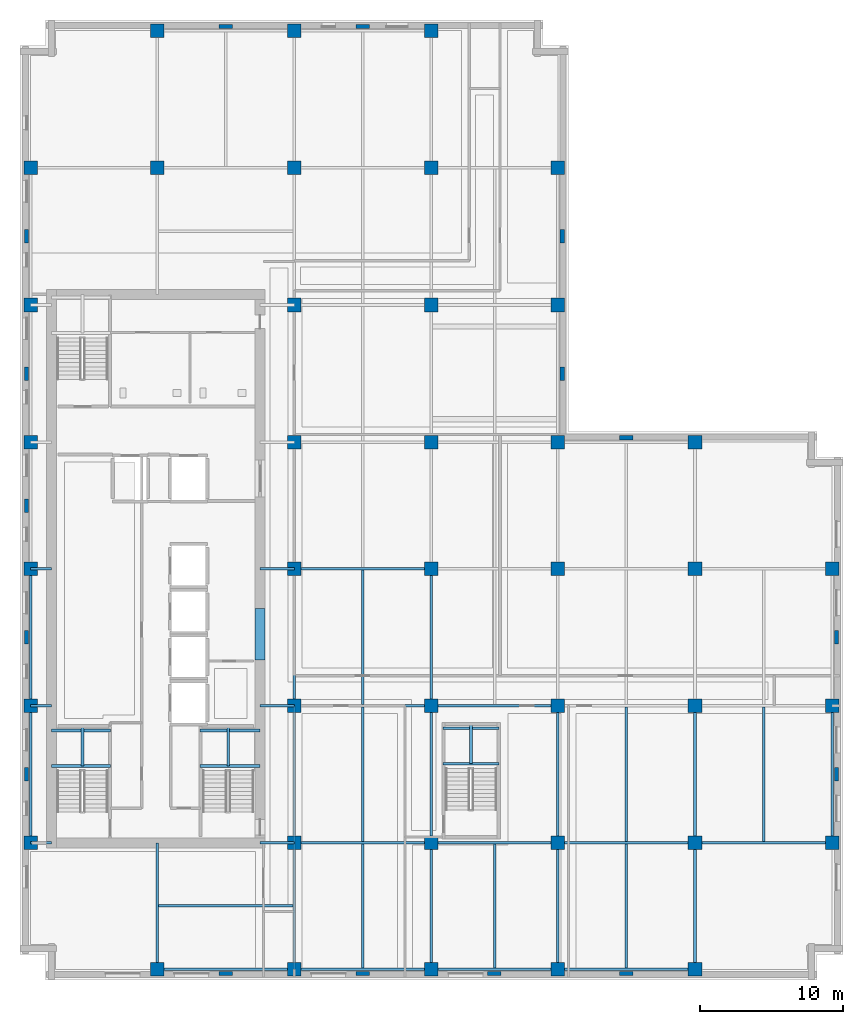
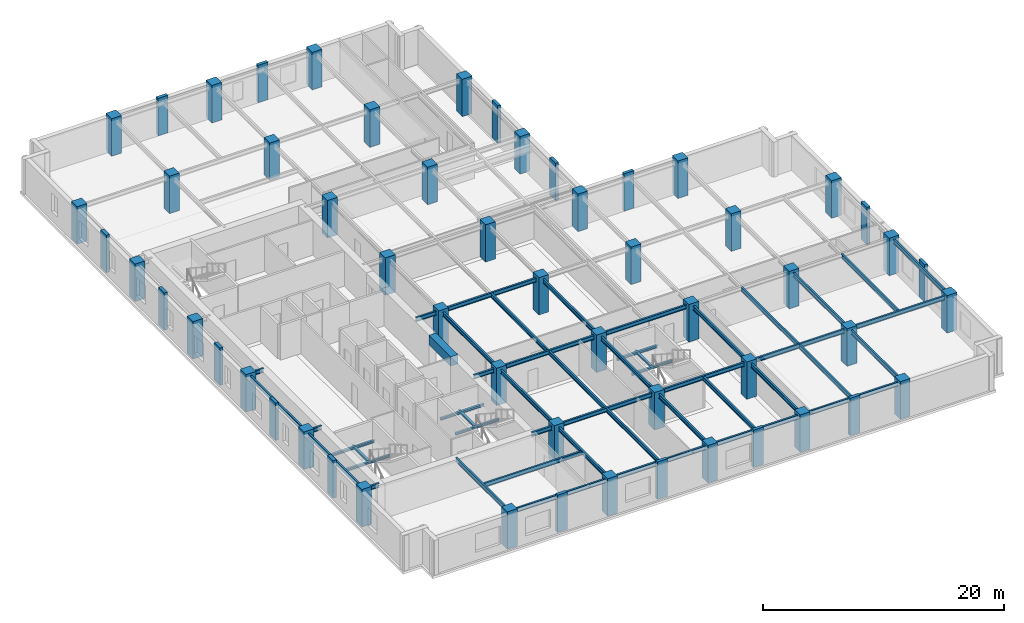
# One storey, part 1 of 13: 56 columns, 49 beams.
"""IFC4 building model written with IfcOpenShell, lengths in metres."""

from ifc_helpers import new_model, si_unit, direction, frame, origin, origin_2d, place, context, subcontext, project, spatial, rectangle, i_section, extrude, material, material_profile, profile_set, type_object, element, save


model = new_model("IFC4")

# Units and contexts
model_context = context("Model", 3, precision=1e-05, world=origin(), true_north=direction((0.0, 1.0)))
body_context = subcontext(model_context, "Body", "Model", "MODEL_VIEW")
ifc_project = project(units=[si_unit("LENGTHUNIT", "METRE"), si_unit("AREAUNIT", "SQUARE_METRE"), si_unit("VOLUMEUNIT", "CUBIC_METRE"), si_unit("PLANEANGLEUNIT", "RADIAN"), si_unit("MASSUNIT", "GRAM", prefix="KILO")], contexts=[model_context])

# Site, building, storey
site_placement = place(None, origin())
site = spatial("IfcSite", under=ifc_project, at=site_placement, CompositionType="ELEMENT")
building_placement = place(site_placement, origin())
building = spatial("IfcBuilding", under=site, at=building_placement, Name="Norrvale University Quadrangle", CompositionType="ELEMENT")
storey_placement = place(building_placement, frame((0.0, 0.0, 163.60009765625)))
storey = spatial("IfcBuildingStorey", under=building, at=storey_placement, Name="L41", CompositionType="ELEMENT", Elevation=163.60009765625)

# Columns
ifc_material_1 = material(Name="Red Manganese Brick Concrete C60/75", Category="concrete")
ifc_material_profile_1 = material_profile(ifc_material_1, rectangle(XDim=0.949951171875, YDim=0.300048828125, at=origin_2d()), Name="Red Manganese Brick Concrete C60/75")
ifc_profile_set_1 = profile_set([ifc_material_profile_1], Name="Red Manganese Brick Concrete C60/75")
column_type_1 = type_object("IfcColumnType", Name="Column Brick Pier 950x300", PredefinedType="PILASTER", material=ifc_profile_set_1)
for number, where, z_axis, x_axis, name in (
    (1, (0.449951171875, 14.39990234375, 0.0), (0.0, 0.0, 1.0), (0.0, 1.0, 0.0), "Exterior Brick Facade Pilaster L41-01"),
    (2, (0.449951171875, 24.0, 0.0), (0.0, 0.0, 1.0), (0.0, 1.0, 0.0), "Exterior Brick Facade Pilaster L41-02"),
    (3, (0.449951171875, 33.199951171875, 0.0), (0.0, 0.0, 1.0), (0.0, 1.0, 0.0), "Exterior Brick Facade Pilaster L41-03"),
    (4, (0.449951171875, 42.449951171875, 0.0), (0.0, 0.0, 1.0), (0.0, 1.0, 0.0), "Exterior Brick Facade Pilaster L41-04"),
    (5, (0.449951171875, 52.050048828125, 0.0), (0.0, 0.0, 1.0), (0.0, 1.0, 0.0), "Exterior Brick Facade Pilaster L41-05"),
    (6, (14.39990234375, 0.449951171875, 0.0), (0.0, 0.0, 1.0), (1.0, 0.0, 0.0), "Exterior Brick Facade Pilaster L41-06"),
    (7, (24.0, 0.449951171875, 0.0), (0.0, 0.0, 1.0), (1.0, 0.0, 0.0), "Exterior Brick Facade Pilaster L41-07"),
    (8, (33.199951171875, 0.449951171875, 0.0), (0.0, 0.0, 1.0), (1.0, 0.0, 0.0), "Exterior Brick Facade Pilaster L41-08"),
    (9, (42.449951171875, 0.449951171875, 0.0), (0.0, 0.0, 1.0), (1.0, 0.0, 0.0), "Exterior Brick Facade Pilaster L41-09"),
    (10, (57.14990234375, 14.39990234375, 0.0), (0.0, 0.0, 1.0), (0.0, 1.0, 0.0), "Exterior Brick Facade Pilaster L41-10"),
    (11, (57.14990234375, 24.0, 0.0), (0.0, 0.0, 1.0), (0.0, 1.0, 0.0), "Exterior Brick Facade Pilaster L41-11"),
    (12, (14.39990234375, 66.75, 0.0), (0.0, 0.0, 1.0), (1.0, 0.0, 0.0), "Exterior Brick Facade Pilaster L41-12"),
    (13, (24.0, 66.75, 0.0), (0.0, 0.0, 1.0), (1.0, 0.0, 0.0), "Exterior Brick Facade Pilaster L41-13"),
    (14, (37.949951171875, 42.449951171875, 0.0), (0.0, 0.0, 1.0), (0.0, 1.0, 0.0), "Exterior Brick Facade Pilaster L41-14"),
    (15, (37.949951171875, 52.050048828125, 0.0), (0.0, 0.0, 1.0), (0.0, 1.0, 0.0), "Exterior Brick Facade Pilaster L41-15"),
    (16, (42.449951171875, 37.949951171875, 0.0), (0.0, 0.0, 1.0), (1.0, 0.0, 0.0), "Exterior Brick Facade Pilaster L41-16"),
):
    element("IfcColumn", number, at=place(storey_placement, frame(where, z_axis=z_axis, x_axis=x_axis)), inside=storey, type_object=column_type_1, Name=name, PredefinedType="PILASTER", context=body_context, shape_type="SweptSolid", body=[
        extrude(rectangle(XDim=0.949951171875, YDim=0.300048828125, at=origin_2d()), origin(), (0.0, 0.0, 1.0), 3.7998046875),
    ])
ifc_material_2 = material(Name="Concrete C60/75", Category="concrete")
ifc_material_profile_2 = material_profile(ifc_material_2, rectangle(XDim=0.949951171875, YDim=0.949951171875, at=origin_2d()), Name="Concrete C60/75")
ifc_profile_set_2 = profile_set([ifc_material_profile_2], Name="Concrete C60/75")
column_type_2 = type_object("IfcColumnType", Name="Column Tower Z2 950x950", PredefinedType="COLUMN", material=ifc_profile_set_2)
for number, where, z_axis, x_axis, name in (
    (17, (0.75, 9.60009765625, 0.0), (0.0, 0.0, 1.0), (1.0, 0.0, 0.0), "Tower Column L41-T01"),
    (18, (0.75, 19.199951171875, 0.0), (0.0, 0.0, 1.0), (1.0, 0.0, 0.0), "Tower Column L41-T02"),
    (19, (0.75, 28.800048828125, 0.0), (0.0, 0.0, 1.0), (1.0, 0.0, 0.0), "Tower Column L41-T03"),
    (20, (0.75, 37.64990234375, 0.0), (0.0, 0.0, 1.0), (1.0, 0.0, 0.0), "Tower Column L41-T04"),
    (21, (0.75, 47.25, 0.0), (0.0, 0.0, 1.0), (1.0, 0.0, 0.0), "Tower Column L41-T05"),
    (22, (0.75, 56.85009765625, 0.0), (0.0, 0.0, 1.0), (1.0, 0.0, 0.0), "Tower Column L41-T06"),
    (23, (9.60009765625, 0.75, 0.0), (0.0, 0.0, 1.0), (1.0, 0.0, 0.0), "Tower Column L41-T07"),
    (24, (9.60009765625, 56.85009765625, 0.0), (0.0, 0.0, 1.0), (1.0, 0.0, 0.0), "Tower Column L41-T08"),
    (25, (9.60009765625, 66.449951171875, 0.0), (0.0, 0.0, 1.0), (1.0, 0.0, 0.0), "Tower Column L41-T09"),
    (26, (19.199951171875, 0.75, 0.0), (0.0, 0.0, 1.0), (1.0, 0.0, 0.0), "Tower Column L41-T10"),
    (27, (19.199951171875, 9.60009765625, 0.0), (0.0, 0.0, 1.0), (1.0, 0.0, 0.0), "Tower Column L41-T11"),
    (28, (19.199951171875, 19.199951171875, 0.0), (0.0, 0.0, 1.0), (1.0, 0.0, 0.0), "Tower Column L41-T12"),
    (29, (19.199951171875, 28.800048828125, 0.0), (0.0, 0.0, 1.0), (1.0, 0.0, 0.0), "Tower Column L41-T13"),
    (30, (19.199951171875, 37.64990234375, 0.0), (0.0, 0.0, 1.0), (1.0, 0.0, 0.0), "Tower Column L41-T14"),
    (31, (19.199951171875, 47.25, 0.0), (0.0, 0.0, 1.0), (1.0, 0.0, 0.0), "Tower Column L41-T15"),
    (32, (19.199951171875, 56.85009765625, 0.0), (0.0, 0.0, 1.0), (1.0, 0.0, 0.0), "Tower Column L41-T16"),
    (33, (19.199951171875, 66.449951171875, 0.0), (0.0, 0.0, 1.0), (1.0, 0.0, 0.0), "Tower Column L41-T17"),
    (34, (28.800048828125, 0.75, 0.0), (0.0, 0.0, 1.0), (1.0, 0.0, 0.0), "Tower Column L41-T18"),
    (35, (28.800048828125, 9.60009765625, 0.0), (0.0, 0.0, 1.0), (1.0, 0.0, 0.0), "Tower Column L41-T19"),
    (36, (28.800048828125, 19.199951171875, 0.0), (0.0, 0.0, 1.0), (1.0, 0.0, 0.0), "Tower Column L41-T20"),
    (37, (28.800048828125, 28.800048828125, 0.0), (0.0, 0.0, 1.0), (1.0, 0.0, 0.0), "Tower Column L41-T21"),
    (38, (28.800048828125, 37.64990234375, 0.0), (0.0, 0.0, 1.0), (1.0, 0.0, 0.0), "Tower Column L41-T22"),
    (39, (28.800048828125, 47.25, 0.0), (0.0, 0.0, 1.0), (1.0, 0.0, 0.0), "Tower Column L41-T23"),
    (40, (28.800048828125, 56.85009765625, 0.0), (0.0, 0.0, 1.0), (1.0, 0.0, 0.0), "Tower Column L41-T24"),
    (41, (28.800048828125, 66.449951171875, 0.0), (0.0, 0.0, 1.0), (1.0, 0.0, 0.0), "Tower Column L41-T25"),
    (42, (37.64990234375, 0.75, 0.0), (0.0, 0.0, 1.0), (1.0, 0.0, 0.0), "Tower Column L41-T26"),
    (43, (37.64990234375, 9.60009765625, 0.0), (0.0, 0.0, 1.0), (1.0, 0.0, 0.0), "Tower Column L41-T27"),
    (44, (37.64990234375, 19.199951171875, 0.0), (0.0, 0.0, 1.0), (1.0, 0.0, 0.0), "Tower Column L41-T28"),
    (45, (37.64990234375, 28.800048828125, 0.0), (0.0, 0.0, 1.0), (1.0, 0.0, 0.0), "Tower Column L41-T29"),
    (46, (37.64990234375, 37.64990234375, 0.0), (0.0, 0.0, 1.0), (1.0, 0.0, 0.0), "Tower Column L41-T30"),
    (47, (37.64990234375, 47.25, 0.0), (0.0, 0.0, 1.0), (1.0, 0.0, 0.0), "Tower Column L41-T31"),
    (48, (37.64990234375, 56.85009765625, 0.0), (0.0, 0.0, 1.0), (1.0, 0.0, 0.0), "Tower Column L41-T32"),
    (49, (47.25, 0.75, 0.0), (0.0, 0.0, 1.0), (1.0, 0.0, 0.0), "Tower Column L41-T33"),
    (50, (47.25, 9.60009765625, 0.0), (0.0, 0.0, 1.0), (1.0, 0.0, 0.0), "Tower Column L41-T34"),
    (51, (47.25, 19.199951171875, 0.0), (0.0, 0.0, 1.0), (1.0, 0.0, 0.0), "Tower Column L41-T35"),
    (52, (47.25, 28.800048828125, 0.0), (0.0, 0.0, 1.0), (1.0, 0.0, 0.0), "Tower Column L41-T36"),
    (53, (47.25, 37.64990234375, 0.0), (0.0, 0.0, 1.0), (1.0, 0.0, 0.0), "Tower Column L41-T37"),
    (54, (56.85009765625, 9.60009765625, 0.0), (0.0, 0.0, 1.0), (1.0, 0.0, 0.0), "Tower Column L41-T38"),
    (55, (56.85009765625, 19.199951171875, 0.0), (0.0, 0.0, 1.0), (1.0, 0.0, 0.0), "Tower Column L41-T39"),
    (56, (56.85009765625, 28.800048828125, 0.0), (0.0, 0.0, 1.0), (1.0, 0.0, 0.0), "Tower Column L41-T40"),
):
    element("IfcColumn", number, at=place(storey_placement, frame(where, z_axis=z_axis, x_axis=x_axis)), inside=storey, type_object=column_type_2, Name=name, PredefinedType="COLUMN", context=body_context, shape_type="SweptSolid", body=[
        extrude(rectangle(XDim=0.949951171875, YDim=0.949951171875, at=origin_2d()), origin(), (0.0, 0.0, 1.0), 3.7998046875),
    ])

# Beams
ifc_material_3 = material(Name="Steel 350W", Category="steel")
ifc_material_profile_3 = material_profile(ifc_material_3, i_section(OverallWidth=0.180908203125, OverallDepth=0.4169921875, WebThickness=0.010986328125, FlangeThickness=0.018310546875, FilletRadius=0.011962890625, at=origin_2d()), Name="Steel 350W")
ifc_profile_set_3 = profile_set([ifc_material_profile_3], Name="Steel 350W")
beam_type_1 = type_object("IfcBeamType", Name="Beam Atrium W410x85", PredefinedType="BEAM", material=ifc_profile_set_3)
beam_1_placement = place(storey_placement, frame((9.60009765625, 0.75, 3.331298828125), z_axis=(1.0, 0.0, 0.0), x_axis=(0.0, 1.0, 0.0)))
element("IfcBeam", 57, at=beam_1_placement, inside=storey, type_object=beam_type_1, Name="Beam Atrium W410x85 BM-L41-GX001", PredefinedType="BEAM", context=body_context, shape_type="SweptSolid", body=[
    extrude(i_section(OverallWidth=0.180908203125, OverallDepth=0.4169921875, WebThickness=0.010986328125, FlangeThickness=0.018310546875, FilletRadius=0.011962890625, at=origin_2d()), origin(), (0.0, 0.0, 1.0), 9.599853515625),
])
beam_2_placement = place(storey_placement, frame((19.199951171875, 0.75, 3.331298828125), z_axis=(1.0, 0.0, 0.0), x_axis=(0.0, 1.0, 0.0)))
element("IfcBeam", 58, at=beam_2_placement, inside=storey, type_object=beam_type_1, Name="Beam Atrium W410x85 BM-L41-GX002", PredefinedType="BEAM", context=body_context, shape_type="SweptSolid", body=[
    extrude(i_section(OverallWidth=0.180908203125, OverallDepth=0.4169921875, WebThickness=0.010986328125, FlangeThickness=0.018310546875, FilletRadius=0.011962890625, at=origin_2d()), origin(), (0.0, 0.0, 1.0), 9.60009765625),
])
beam_3_placement = place(storey_placement, frame((28.800048828125, 0.75, 3.331298828125), z_axis=(1.0, 0.0, 0.0), x_axis=(0.0, 1.0, 0.0)))
element("IfcBeam", 59, at=beam_3_placement, inside=storey, type_object=beam_type_1, Name="Beam Atrium W410x85 BM-L41-GX003", PredefinedType="BEAM", context=body_context, shape_type="SweptSolid", body=[
    extrude(i_section(OverallWidth=0.180908203125, OverallDepth=0.4169921875, WebThickness=0.010986328125, FlangeThickness=0.018310546875, FilletRadius=0.011962890625, at=origin_2d()), origin(), (0.0, 0.0, 1.0), 8.849853515625),
])
for number, where, z_axis, x_axis, name in (
    (60, (37.64990234375, 0.75, 3.331298828125), (1.0, 0.0, 0.0), (0.0, 1.0, 0.0), "Beam Atrium W410x85 BM-L41-GX004"),
    (61, (19.199951171875, 9.60009765625, 3.331298828125), (1.0, 0.0, 0.0), (0.0, 1.0, 0.0), "Beam Atrium W410x85 BM-L41-GX005"),
):
    element("IfcBeam", number, at=place(storey_placement, frame(where, z_axis=z_axis, x_axis=x_axis)), inside=storey, type_object=beam_type_1, Name=name, PredefinedType="BEAM", context=body_context, shape_type="SweptSolid", body=[
        extrude(i_section(OverallWidth=0.180908203125, OverallDepth=0.4169921875, WebThickness=0.010986328125, FlangeThickness=0.018310546875, FilletRadius=0.011962890625, at=origin_2d()), origin(), (0.0, 0.0, 1.0), 9.60009765625),
    ])
beam_4_placement = place(storey_placement, frame((28.800048828125, 9.60009765625, 3.331298828125), z_axis=(1.0, 0.0, 0.0), x_axis=(0.0, 1.0, 0.0)))
element("IfcBeam", 62, at=beam_4_placement, inside=storey, type_object=beam_type_1, Name="Beam Atrium W410x85 BM-L41-GX006", PredefinedType="BEAM", context=body_context, shape_type="SweptSolid", body=[
    extrude(i_section(OverallWidth=0.180908203125, OverallDepth=0.4169921875, WebThickness=0.010986328125, FlangeThickness=0.018310546875, FilletRadius=0.011962890625, at=origin_2d()), origin(), (0.0, 0.0, 1.0), 8.849853515625),
])
for number, where, z_axis, x_axis, name in (
    (63, (37.64990234375, 9.60009765625, 3.331298828125), (1.0, 0.0, 0.0), (0.0, 1.0, 0.0), "Beam Atrium W410x85 BM-L41-GX007"),
    (64, (47.25, 9.60009765625, 3.331298828125), (1.0, 0.0, 0.0), (0.0, 1.0, 0.0), "Beam Atrium W410x85 BM-L41-GX008"),
    (65, (19.199951171875, 19.199951171875, 3.331298828125), (1.0, 0.0, 0.0), (0.0, 1.0, 0.0), "Beam Atrium W410x85 BM-L41-GX009"),
):
    element("IfcBeam", number, at=place(storey_placement, frame(where, z_axis=z_axis, x_axis=x_axis)), inside=storey, type_object=beam_type_1, Name=name, PredefinedType="BEAM", context=body_context, shape_type="SweptSolid", body=[
        extrude(i_section(OverallWidth=0.180908203125, OverallDepth=0.4169921875, WebThickness=0.010986328125, FlangeThickness=0.018310546875, FilletRadius=0.011962890625, at=origin_2d()), origin(), (0.0, 0.0, 1.0), 9.60009765625),
    ])
beam_5_placement = place(storey_placement, frame((28.800048828125, 19.199951171875, 3.331298828125), z_axis=(1.0, 0.0, 0.0), x_axis=(0.0, 1.0, 0.0)))
element("IfcBeam", 66, at=beam_5_placement, inside=storey, type_object=beam_type_1, Name="Beam Atrium W410x85 BM-L41-GX010", PredefinedType="BEAM", context=body_context, shape_type="SweptSolid", body=[
    extrude(i_section(OverallWidth=0.180908203125, OverallDepth=0.4169921875, WebThickness=0.010986328125, FlangeThickness=0.018310546875, FilletRadius=0.011962890625, at=origin_2d()), origin(), (0.0, 0.0, 1.0), 8.849853515625),
])
beam_6_placement = place(storey_placement, frame((19.199951171875, 28.800048828125, 3.331298828125), z_axis=(1.0, 0.0, 0.0), x_axis=(0.0, 1.0, 0.0)))
element("IfcBeam", 67, at=beam_6_placement, inside=storey, type_object=beam_type_1, Name="Beam Atrium W410x85 BM-L41-GX013", PredefinedType="BEAM", context=body_context, shape_type="SweptSolid", body=[
    extrude(i_section(OverallWidth=0.180908203125, OverallDepth=0.4169921875, WebThickness=0.010986328125, FlangeThickness=0.018310546875, FilletRadius=0.011962890625, at=origin_2d()), origin(), (0.0, 0.0, 1.0), 9.60009765625),
])
beam_7_placement = place(storey_placement, frame((0.75, 9.60009765625, 3.331298828125), z_axis=(0.0, 1.0, 0.0), x_axis=(-1.0, 0.0, 0.0)))
element("IfcBeam", 68, at=beam_7_placement, inside=storey, type_object=beam_type_1, Name="Beam Atrium W410x85 BM-L41-GY028", PredefinedType="BEAM", context=body_context, shape_type="SweptSolid", body=[
    extrude(i_section(OverallWidth=0.180908203125, OverallDepth=0.4169921875, WebThickness=0.010986328125, FlangeThickness=0.018310546875, FilletRadius=0.011962890625, at=origin_2d()), origin(), (0.0, 0.0, 1.0), 9.599853515625),
])
beam_8_placement = place(storey_placement, frame((0.75, 19.199951171875, 3.331298828125), z_axis=(0.0, 1.0, 0.0), x_axis=(-1.0, 0.0, 0.0)))
element("IfcBeam", 69, at=beam_8_placement, inside=storey, type_object=beam_type_1, Name="Beam Atrium W410x85 BM-L41-GY029", PredefinedType="BEAM", context=body_context, shape_type="SweptSolid", body=[
    extrude(i_section(OverallWidth=0.180908203125, OverallDepth=0.4169921875, WebThickness=0.010986328125, FlangeThickness=0.018310546875, FilletRadius=0.011962890625, at=origin_2d()), origin(), (0.0, 0.0, 1.0), 9.60009765625),
])
beam_9_placement = place(storey_placement, frame((19.199951171875, 0.75, 3.331298828125), z_axis=(0.0, 1.0, 0.0), x_axis=(-1.0, 0.0, 0.0)))
element("IfcBeam", 70, at=beam_9_placement, inside=storey, type_object=beam_type_1, Name="Beam Atrium W410x85 BM-L41-GY034", PredefinedType="BEAM", context=body_context, shape_type="SweptSolid", body=[
    extrude(i_section(OverallWidth=0.180908203125, OverallDepth=0.4169921875, WebThickness=0.010986328125, FlangeThickness=0.018310546875, FilletRadius=0.011962890625, at=origin_2d()), origin(), (0.0, 0.0, 1.0), 8.85009765625),
])
beam_10_placement = place(storey_placement, frame((19.199951171875, 9.60009765625, 3.331298828125), z_axis=(0.0, 1.0, 0.0), x_axis=(-1.0, 0.0, 0.0)))
element("IfcBeam", 71, at=beam_10_placement, inside=storey, type_object=beam_type_1, Name="Beam Atrium W410x85 BM-L41-GY035", PredefinedType="BEAM", context=body_context, shape_type="SweptSolid", body=[
    extrude(i_section(OverallWidth=0.180908203125, OverallDepth=0.4169921875, WebThickness=0.010986328125, FlangeThickness=0.018310546875, FilletRadius=0.011962890625, at=origin_2d()), origin(), (0.0, 0.0, 1.0), 9.599853515625),
])
beam_11_placement = place(storey_placement, frame((19.199951171875, 19.199951171875, 3.331298828125), z_axis=(0.0, 1.0, 0.0), x_axis=(-1.0, 0.0, 0.0)))
element("IfcBeam", 72, at=beam_11_placement, inside=storey, type_object=beam_type_1, Name="Beam Atrium W410x85 BM-L41-GY036", PredefinedType="BEAM", context=body_context, shape_type="SweptSolid", body=[
    extrude(i_section(OverallWidth=0.180908203125, OverallDepth=0.4169921875, WebThickness=0.010986328125, FlangeThickness=0.018310546875, FilletRadius=0.011962890625, at=origin_2d()), origin(), (0.0, 0.0, 1.0), 9.60009765625),
])
beam_12_placement = place(storey_placement, frame((28.800048828125, 0.75, 3.331298828125), z_axis=(0.0, 1.0, 0.0), x_axis=(-1.0, 0.0, 0.0)))
element("IfcBeam", 73, at=beam_12_placement, inside=storey, type_object=beam_type_1, Name="Beam Atrium W410x85 BM-L41-GY041", PredefinedType="BEAM", context=body_context, shape_type="SweptSolid", body=[
    extrude(i_section(OverallWidth=0.180908203125, OverallDepth=0.4169921875, WebThickness=0.010986328125, FlangeThickness=0.018310546875, FilletRadius=0.011962890625, at=origin_2d()), origin(), (0.0, 0.0, 1.0), 8.85009765625),
])
beam_13_placement = place(storey_placement, frame((28.800048828125, 9.60009765625, 3.331298828125), z_axis=(0.0, 1.0, 0.0), x_axis=(-1.0, 0.0, 0.0)))
element("IfcBeam", 74, at=beam_13_placement, inside=storey, type_object=beam_type_1, Name="Beam Atrium W410x85 BM-L41-GY042", PredefinedType="BEAM", context=body_context, shape_type="SweptSolid", body=[
    extrude(i_section(OverallWidth=0.180908203125, OverallDepth=0.4169921875, WebThickness=0.010986328125, FlangeThickness=0.018310546875, FilletRadius=0.011962890625, at=origin_2d()), origin(), (0.0, 0.0, 1.0), 9.599853515625),
])
beam_14_placement = place(storey_placement, frame((28.800048828125, 19.199951171875, 3.331298828125), z_axis=(0.0, 1.0, 0.0), x_axis=(-1.0, 0.0, 0.0)))
element("IfcBeam", 75, at=beam_14_placement, inside=storey, type_object=beam_type_1, Name="Beam Atrium W410x85 BM-L41-GY043", PredefinedType="BEAM", context=body_context, shape_type="SweptSolid", body=[
    extrude(i_section(OverallWidth=0.180908203125, OverallDepth=0.4169921875, WebThickness=0.010986328125, FlangeThickness=0.018310546875, FilletRadius=0.011962890625, at=origin_2d()), origin(), (0.0, 0.0, 1.0), 9.60009765625),
])
beam_15_placement = place(storey_placement, frame((37.64990234375, 0.75, 3.331298828125), z_axis=(0.0, 1.0, 0.0), x_axis=(-1.0, 0.0, 0.0)))
element("IfcBeam", 76, at=beam_15_placement, inside=storey, type_object=beam_type_1, Name="Beam Atrium W410x85 BM-L41-GY048", PredefinedType="BEAM", context=body_context, shape_type="SweptSolid", body=[
    extrude(i_section(OverallWidth=0.180908203125, OverallDepth=0.4169921875, WebThickness=0.010986328125, FlangeThickness=0.018310546875, FilletRadius=0.011962890625, at=origin_2d()), origin(), (0.0, 0.0, 1.0), 8.85009765625),
])
beam_16_placement = place(storey_placement, frame((37.64990234375, 9.60009765625, 3.331298828125), z_axis=(0.0, 1.0, 0.0), x_axis=(-1.0, 0.0, 0.0)))
element("IfcBeam", 77, at=beam_16_placement, inside=storey, type_object=beam_type_1, Name="Beam Atrium W410x85 BM-L41-GY049", PredefinedType="BEAM", context=body_context, shape_type="SweptSolid", body=[
    extrude(i_section(OverallWidth=0.180908203125, OverallDepth=0.4169921875, WebThickness=0.010986328125, FlangeThickness=0.018310546875, FilletRadius=0.011962890625, at=origin_2d()), origin(), (0.0, 0.0, 1.0), 9.599853515625),
])
beam_17_placement = place(storey_placement, frame((47.25, 0.75, 3.331298828125), z_axis=(0.0, 1.0, 0.0), x_axis=(-1.0, 0.0, 0.0)))
element("IfcBeam", 78, at=beam_17_placement, inside=storey, type_object=beam_type_1, Name="Beam Atrium W410x85 BM-L41-GY054", PredefinedType="BEAM", context=body_context, shape_type="SweptSolid", body=[
    extrude(i_section(OverallWidth=0.180908203125, OverallDepth=0.4169921875, WebThickness=0.010986328125, FlangeThickness=0.018310546875, FilletRadius=0.011962890625, at=origin_2d()), origin(), (0.0, 0.0, 1.0), 8.85009765625),
])
for number, where, z_axis, x_axis, name in (
    (79, (47.25, 9.60009765625, 3.331298828125), (0.0, 1.0, 0.0), (-1.0, 0.0, 0.0), "Beam Atrium W410x85 BM-L41-GY055"),
    (80, (56.85009765625, 9.60009765625, 3.331298828125), (0.0, 1.0, 0.0), (-1.0, 0.0, 0.0), "Beam Atrium W410x85 BM-L41-GY058"),
):
    element("IfcBeam", number, at=place(storey_placement, frame(where, z_axis=z_axis, x_axis=x_axis)), inside=storey, type_object=beam_type_1, Name=name, PredefinedType="BEAM", context=body_context, shape_type="SweptSolid", body=[
        extrude(i_section(OverallWidth=0.180908203125, OverallDepth=0.4169921875, WebThickness=0.010986328125, FlangeThickness=0.018310546875, FilletRadius=0.011962890625, at=origin_2d()), origin(), (0.0, 0.0, 1.0), 9.599853515625),
    ])
beam_18_placement = place(storey_placement, frame((0.75, 9.60009765625, 3.331298828125), z_axis=(1.0, 0.0, 0.0), x_axis=(0.0, 1.0, 0.0)))
element("IfcBeam", 81, at=beam_18_placement, inside=storey, type_object=beam_type_1, Name="Beam Atrium W410x85 BM-L41-GCW060", PredefinedType="BEAM", context=body_context, shape_type="SweptSolid", body=[
    extrude(i_section(OverallWidth=0.180908203125, OverallDepth=0.4169921875, WebThickness=0.010986328125, FlangeThickness=0.018310546875, FilletRadius=0.011962890625, at=origin_2d()), origin(), (0.0, 0.0, 1.0), 1.449951171875),
])
beam_19_placement = place(storey_placement, frame((16.800048828125, 9.60009765625, 3.331298828125), z_axis=(1.0, 0.0, 0.0), x_axis=(0.0, 1.0, 0.0)))
element("IfcBeam", 82, at=beam_19_placement, inside=storey, type_object=beam_type_1, Name="Beam Atrium W410x85 BM-L41-GCE061", PredefinedType="BEAM", context=body_context, shape_type="SweptSolid", body=[
    extrude(i_section(OverallWidth=0.180908203125, OverallDepth=0.4169921875, WebThickness=0.010986328125, FlangeThickness=0.018310546875, FilletRadius=0.011962890625, at=origin_2d()), origin(), (0.0, 0.0, 1.0), 2.39990234375),
])
beam_20_placement = place(storey_placement, frame((0.75, 19.199951171875, 3.331298828125), z_axis=(1.0, 0.0, 0.0), x_axis=(0.0, 1.0, 0.0)))
element("IfcBeam", 83, at=beam_20_placement, inside=storey, type_object=beam_type_1, Name="Beam Atrium W410x85 BM-L41-GCW062", PredefinedType="BEAM", context=body_context, shape_type="SweptSolid", body=[
    extrude(i_section(OverallWidth=0.180908203125, OverallDepth=0.4169921875, WebThickness=0.010986328125, FlangeThickness=0.018310546875, FilletRadius=0.011962890625, at=origin_2d()), origin(), (0.0, 0.0, 1.0), 1.449951171875),
])
beam_21_placement = place(storey_placement, frame((16.800048828125, 19.199951171875, 3.331298828125), z_axis=(1.0, 0.0, 0.0), x_axis=(0.0, 1.0, 0.0)))
element("IfcBeam", 84, at=beam_21_placement, inside=storey, type_object=beam_type_1, Name="Beam Atrium W410x85 BM-L41-GCE063", PredefinedType="BEAM", context=body_context, shape_type="SweptSolid", body=[
    extrude(i_section(OverallWidth=0.180908203125, OverallDepth=0.4169921875, WebThickness=0.010986328125, FlangeThickness=0.018310546875, FilletRadius=0.011962890625, at=origin_2d()), origin(), (0.0, 0.0, 1.0), 2.39990234375),
])
beam_22_placement = place(storey_placement, frame((0.75, 28.800048828125, 3.331298828125), z_axis=(1.0, 0.0, 0.0), x_axis=(0.0, 1.0, 0.0)))
element("IfcBeam", 85, at=beam_22_placement, inside=storey, type_object=beam_type_1, Name="Beam Atrium W410x85 BM-L41-GCW064", PredefinedType="BEAM", context=body_context, shape_type="SweptSolid", body=[
    extrude(i_section(OverallWidth=0.180908203125, OverallDepth=0.4169921875, WebThickness=0.010986328125, FlangeThickness=0.018310546875, FilletRadius=0.011962890625, at=origin_2d()), origin(), (0.0, 0.0, 1.0), 1.449951171875),
])
beam_23_placement = place(storey_placement, frame((16.800048828125, 28.800048828125, 3.331298828125), z_axis=(1.0, 0.0, 0.0), x_axis=(0.0, 1.0, 0.0)))
element("IfcBeam", 86, at=beam_23_placement, inside=storey, type_object=beam_type_1, Name="Beam Atrium W410x85 BM-L41-GCE065", PredefinedType="BEAM", context=body_context, shape_type="SweptSolid", body=[
    extrude(i_section(OverallWidth=0.180908203125, OverallDepth=0.4169921875, WebThickness=0.010986328125, FlangeThickness=0.018310546875, FilletRadius=0.011962890625, at=origin_2d()), origin(), (0.0, 0.0, 1.0), 2.39990234375),
])
beam_24_placement = place(storey_placement, frame((9.60009765625, 0.75, 3.331298828125), z_axis=(0.0, 1.0, 0.0), x_axis=(-1.0, 0.0, 0.0)))
element("IfcBeam", 87, at=beam_24_placement, inside=storey, type_object=beam_type_1, Name="Beam Atrium W410x85 BM-L41-GCS089", PredefinedType="BEAM", context=body_context, shape_type="SweptSolid", body=[
    extrude(i_section(OverallWidth=0.180908203125, OverallDepth=0.4169921875, WebThickness=0.010986328125, FlangeThickness=0.018310546875, FilletRadius=0.011962890625, at=origin_2d()), origin(), (0.0, 0.0, 1.0), 8.85009765625),
])
ifc_material_4 = material(Name="Concrete C80/95", Category="concrete")
ifc_material_profile_4 = material_profile(ifc_material_4, rectangle(XDim=0.699951171875, YDim=0.949951171875, at=origin_2d()), Name="Concrete C80/95")
ifc_profile_set_4 = profile_set([ifc_material_profile_4], Name="Concrete C80/95")
beam_type_2 = type_object("IfcBeamType", Name="Beam Core Link 700x950", PredefinedType="LINTEL", material=ifc_profile_set_4)
beam_25_placement = place(storey_placement, frame((16.800048828125, 22.39990234375, 3.06494140625), z_axis=(0.0, 1.0, 0.0), x_axis=(-1.0, 0.0, 0.0)))
element("IfcBeam", 88, at=beam_25_placement, inside=storey, type_object=beam_type_2, Name="Core Coupling Lintel Beam L41-1", PredefinedType="LINTEL", context=body_context, shape_type="SweptSolid", body=[
    extrude(rectangle(XDim=0.699951171875, YDim=0.949951171875, at=origin_2d()), origin(), (0.0, 0.0, 1.0), 3.60009765625),
])
ifc_material_profile_5 = material_profile(ifc_material_3, i_section(OverallWidth=0.177978515625, OverallDepth=0.406982421875, WebThickness=0.0078125, FlangeThickness=0.0126953125, FilletRadius=0.011962890625, at=origin_2d()), Name="Steel 350W")
ifc_profile_set_5 = profile_set([ifc_material_profile_5], Name="Steel 350W")
beam_type_3 = type_object("IfcBeamType", Name="Beam Roof Purlin W410x60", PredefinedType="USERDEFINED", material=ifc_profile_set_5)
beam_26_placement = place(storey_placement, frame((24.0, 0.840576171875, 3.33642578125), z_axis=(0.0, 1.0, 0.0), x_axis=(-1.0, 0.0, 0.0)))
element("IfcBeam", 89, at=beam_26_placement, inside=storey, type_object=beam_type_3, Name="Beam Roof Purlin W410x60 BM-L41-J071", ObjectType="PURLIN", PredefinedType="USERDEFINED", context=body_context, shape_type="SweptSolid", body=[
    extrude(i_section(OverallWidth=0.177978515625, OverallDepth=0.406982421875, WebThickness=0.0078125, FlangeThickness=0.0126953125, FilletRadius=0.011962890625, at=origin_2d()), origin(), (0.0, 0.0, 1.0), 8.6689453125),
])
beam_27_placement = place(storey_placement, frame((24.0, 9.6904296875, 3.33642578125), z_axis=(0.0, 1.0, 0.0), x_axis=(-1.0, 0.0, 0.0)))
element("IfcBeam", 90, at=beam_27_placement, inside=storey, type_object=beam_type_3, Name="Beam Roof Purlin W410x60 BM-L41-J072", ObjectType="PURLIN", PredefinedType="USERDEFINED", context=body_context, shape_type="SweptSolid", body=[
    extrude(i_section(OverallWidth=0.177978515625, OverallDepth=0.406982421875, WebThickness=0.0078125, FlangeThickness=0.0126953125, FilletRadius=0.011962890625, at=origin_2d()), origin(), (0.0, 0.0, 1.0), 9.419189453125),
])
beam_28_placement = place(storey_placement, frame((24.0, 19.29052734375, 3.33642578125), z_axis=(0.0, 1.0, 0.0), x_axis=(-1.0, 0.0, 0.0)))
element("IfcBeam", 91, at=beam_28_placement, inside=storey, type_object=beam_type_3, Name="Beam Roof Purlin W410x60 BM-L41-J073", ObjectType="PURLIN", PredefinedType="USERDEFINED", context=body_context, shape_type="SweptSolid", body=[
    extrude(i_section(OverallWidth=0.177978515625, OverallDepth=0.406982421875, WebThickness=0.0078125, FlangeThickness=0.0126953125, FilletRadius=0.011962890625, at=origin_2d()), origin(), (0.0, 0.0, 1.0), 9.4189453125),
])
for number, where, z_axis, x_axis, name in (
    (92, (33.22509765625, 0.840576171875, 3.33642578125), (0.0, 1.0, 0.0), (-1.0, 0.0, 0.0), "Beam Roof Purlin W410x60 BM-L41-J078"),
    (93, (42.449951171875, 0.840576171875, 3.33642578125), (0.0, 1.0, 0.0), (-1.0, 0.0, 0.0), "Beam Roof Purlin W410x60 BM-L41-J083"),
):
    element("IfcBeam", number, at=place(storey_placement, frame(where, z_axis=z_axis, x_axis=x_axis)), inside=storey, type_object=beam_type_3, Name=name, ObjectType="PURLIN", PredefinedType="USERDEFINED", context=body_context, shape_type="SweptSolid", body=[
        extrude(i_section(OverallWidth=0.177978515625, OverallDepth=0.406982421875, WebThickness=0.0078125, FlangeThickness=0.0126953125, FilletRadius=0.011962890625, at=origin_2d()), origin(), (0.0, 0.0, 1.0), 8.6689453125),
    ])
for number, where, z_axis, x_axis, name in (
    (94, (42.449951171875, 9.6904296875, 3.33642578125), (0.0, 1.0, 0.0), (-1.0, 0.0, 0.0), "Beam Roof Purlin W410x60 BM-L41-J084"),
    (95, (52.050048828125, 9.6904296875, 3.33642578125), (0.0, 1.0, 0.0), (-1.0, 0.0, 0.0), "Beam Roof Purlin W410x60 BM-L41-J087"),
    (96, (9.6904296875, 5.199951171875, 3.33642578125), (1.0, 0.0, 0.0), (0.0, 1.0, 0.0), "Beam Roof Purlin W410x60 BM-L41-JCS090"),
):
    element("IfcBeam", number, at=place(storey_placement, frame(where, z_axis=z_axis, x_axis=x_axis)), inside=storey, type_object=beam_type_3, Name=name, ObjectType="PURLIN", PredefinedType="USERDEFINED", context=body_context, shape_type="SweptSolid", body=[
        extrude(i_section(OverallWidth=0.177978515625, OverallDepth=0.406982421875, WebThickness=0.0078125, FlangeThickness=0.0126953125, FilletRadius=0.011962890625, at=origin_2d()), origin(), (0.0, 0.0, 1.0), 9.419189453125),
    ])
ifc_material_profile_6 = material_profile(ifc_material_3, i_section(OverallWidth=0.201904296875, OverallDepth=0.2470703125, WebThickness=0.00732421875, FlangeThickness=0.010986328125, FilletRadius=0.011962890625, at=origin_2d()), Name="Steel 350W")
ifc_profile_set_6 = profile_set([ifc_material_profile_6], Name="Steel 350W")
beam_type_4 = type_object("IfcBeamType", Name="Beam Stair W250x49", PredefinedType="BEAM", material=ifc_profile_set_6)
for number, where, z_axis, x_axis, name in (
    (97, (2.199951171875, 14.989990234375, 1.576416015625), (1.0, 0.0, 0.0), (0.0, 1.0, 0.0), "Stair Mid-Landing Front Beam ST-01 L41"),
    (98, (2.199951171875, 17.469970703125, 1.576416015625), (1.0, 0.0, 0.0), (0.0, 1.0, 0.0), "Stair Mid-Landing Rear Beam ST-01 L41"),
):
    element("IfcBeam", number, at=place(storey_placement, frame(where, z_axis=z_axis, x_axis=x_axis)), inside=storey, type_object=beam_type_4, Name=name, PredefinedType="BEAM", context=body_context, shape_type="SweptSolid", body=[
        extrude(i_section(OverallWidth=0.201904296875, OverallDepth=0.2470703125, WebThickness=0.00732421875, FlangeThickness=0.010986328125, FilletRadius=0.011962890625, at=origin_2d()), origin(), (0.0, 0.0, 1.0), 4.14013671875),
    ])
for number, where, z_axis, x_axis, name in (
    (99, (12.610107421875, 14.989990234375, 1.576416015625), (1.0, 0.0, 0.0), (0.0, 1.0, 0.0), "Stair Mid-Landing Front Beam ST-03 L41"),
    (100, (12.610107421875, 17.469970703125, 1.576416015625), (1.0, 0.0, 0.0), (0.0, 1.0, 0.0), "Stair Mid-Landing Rear Beam ST-03 L41"),
):
    element("IfcBeam", number, at=place(storey_placement, frame(where, z_axis=z_axis, x_axis=x_axis)), inside=storey, type_object=beam_type_4, Name=name, PredefinedType="BEAM", context=body_context, shape_type="SweptSolid", body=[
        extrude(i_section(OverallWidth=0.201904296875, OverallDepth=0.2470703125, WebThickness=0.00732421875, FlangeThickness=0.010986328125, FilletRadius=0.011962890625, at=origin_2d()), origin(), (0.0, 0.0, 1.0), 4.18994140625),
    ])
for number, where, z_axis, x_axis, name in (
    (101, (29.610107421875, 15.139892578125, 1.576416015625), (1.0, 0.0, 0.0), (0.0, 1.0, 0.0), "Stair Mid-Landing Front Beam ST-04 L41"),
    (102, (29.610107421875, 17.6201171875, 1.576416015625), (1.0, 0.0, 0.0), (0.0, 1.0, 0.0), "Stair Mid-Landing Rear Beam ST-04 L41"),
):
    element("IfcBeam", number, at=place(storey_placement, frame(where, z_axis=z_axis, x_axis=x_axis)), inside=storey, type_object=beam_type_4, Name=name, PredefinedType="BEAM", context=body_context, shape_type="SweptSolid", body=[
        extrude(i_section(OverallWidth=0.201904296875, OverallDepth=0.2470703125, WebThickness=0.00732421875, FlangeThickness=0.010986328125, FilletRadius=0.011962890625, at=origin_2d()), origin(), (0.0, 0.0, 1.0), 3.929931640625),
    ])
ifc_material_profile_7 = material_profile(ifc_material_3, i_section(OverallWidth=0.202880859375, OverallDepth=0.202880859375, WebThickness=0.007080078125, FlangeThickness=0.010986328125, FilletRadius=0.010009765625, at=origin_2d()), Name="Steel 350W")
ifc_profile_set_7 = profile_set([ifc_material_profile_7], Name="Steel 350W")
beam_type_5 = type_object("IfcBeamType", Name="Beam Trim W200x46", PredefinedType="BEAM", material=ifc_profile_set_7)
for number, where, z_axis, x_axis, name in (
    (103, (4.375, 14.989990234375, 1.598388671875), (0.0, 1.0, 0.0), (-1.0, 0.0, 0.0), "Stair Mid-Landing Cross Beam ST-01 L41"),
    (104, (14.574951171875, 14.989990234375, 1.598388671875), (0.0, 1.0, 0.0), (-1.0, 0.0, 0.0), "Stair Mid-Landing Cross Beam ST-03 L41"),
    (105, (31.574951171875, 15.139892578125, 1.598388671875), (0.0, 1.0, 0.0), (-1.0, 0.0, 0.0), "Stair Mid-Landing Cross Beam ST-04 L41"),
):
    element("IfcBeam", number, at=place(storey_placement, frame(where, z_axis=z_axis, x_axis=x_axis)), inside=storey, type_object=beam_type_5, Name=name, PredefinedType="BEAM", context=body_context, shape_type="SweptSolid", body=[
        extrude(i_section(OverallWidth=0.202880859375, OverallDepth=0.202880859375, WebThickness=0.007080078125, FlangeThickness=0.010986328125, FilletRadius=0.010009765625, at=origin_2d()), origin(), (0.0, 0.0, 1.0), 2.800048828125),
    ])

save(model, "model.ifc")
